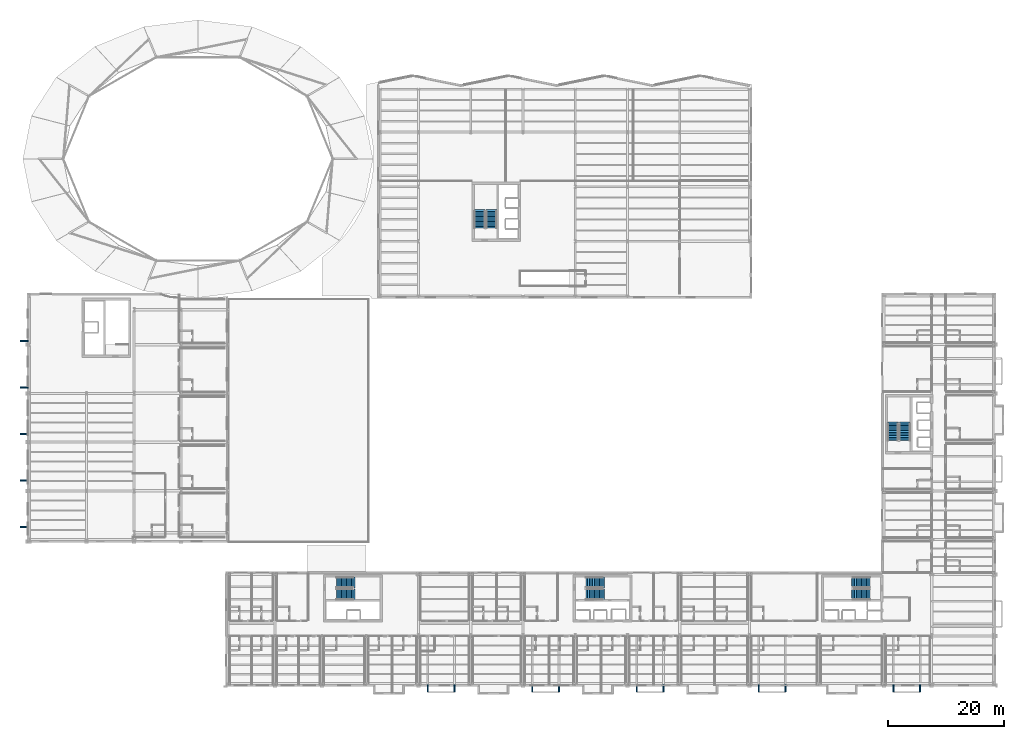
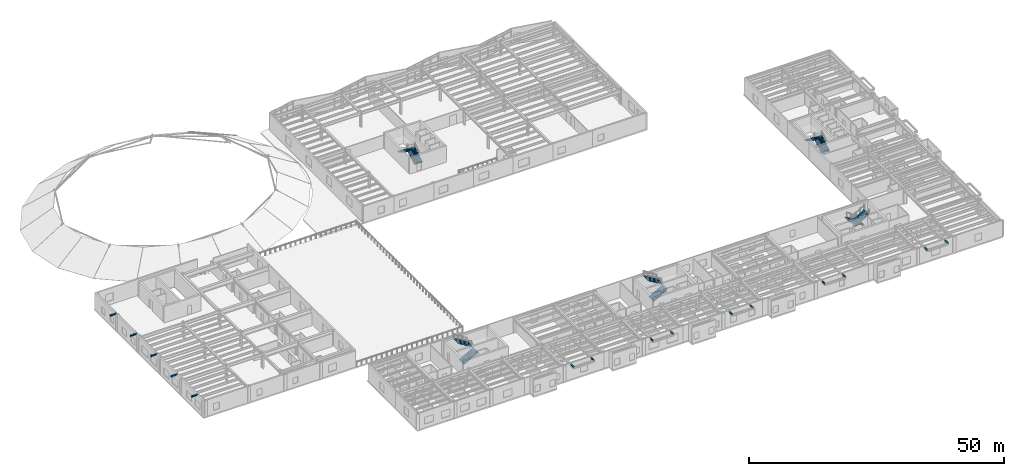
# One storey, part 52 of 59: 15 discrete accessories, 10 stair flights, 5 elements without a shape of their own.
"""IFC4 building model written with IfcOpenShell, lengths in metres."""

from ifc_helpers import new_model, si_unit, direction, frame, origin, origin_2d, place, context, subcontext, project, spatial, polyline, rectangle, outline, extrude, material, type_object, element, aggregate, save


model = new_model("IFC4")

# Units and contexts
model_context = context("Model", 3, precision=1e-05, world=origin(), true_north=direction((0.0, 1.0)))
body_context = subcontext(model_context, "Body", "Model", "MODEL_VIEW")
ifc_project = project(units=[si_unit("LENGTHUNIT", "METRE"), si_unit("AREAUNIT", "SQUARE_METRE"), si_unit("VOLUMEUNIT", "CUBIC_METRE"), si_unit("PLANEANGLEUNIT", "RADIAN"), si_unit("MASSUNIT", "GRAM", prefix="KILO")], contexts=[model_context])

# Site, building, storey
site_placement = place(None, origin())
site = spatial("IfcSite", under=ifc_project, at=site_placement, CompositionType="ELEMENT")
building_placement = place(site_placement, origin())
building = spatial("IfcBuilding", under=site, at=building_placement, Name="Sollismere Congress Hotel", CompositionType="ELEMENT")
storey_placement = place(building_placement, frame((0.0, 0.0, 15.60009765625)))
storey = spatial("IfcBuildingStorey", under=building, at=storey_placement, Name="L03", CompositionType="ELEMENT", Elevation=15.60009765625)

# Stair, stair flights
ifc_material_1 = material(Name="Concrete C40/50", Category="concrete")
stair_type = type_object("IfcStairType", Name="STR-DL-390", PredefinedType="HALF_TURN_STAIR", material=ifc_material_1)
stair_1_placement = place(storey_placement, origin())
stair_1 = element("IfcStair", 1, at=stair_1_placement, inside=storey, type_object=stair_type, Name="Protected exit stair ST-01-L03", PredefinedType="HALF_TURN_STAIR")
stair_flight_type = type_object("IfcStairFlightType", Name="STF-DL-390", PredefinedType="STRAIGHT", material=ifc_material_1)
stair_flight_1_placement = place(storey_placement, frame((144.75, 17.425048828125, 0.0), z_axis=(0.0, 0.0, 1.0), x_axis=(-1.0, 0.0, 0.0)))
stair_flight_1 = element("IfcStairFlight", 2, at=stair_flight_1_placement, type_object=stair_flight_type, Name="Exit stair flight ST-01-L03-F1", NumberOfRisers=11, NumberOfTreads=11, PredefinedType="STRAIGHT", RiserHeight=0.17724609375, TreadLength=0.2900390625, context=body_context, shape_type="SweptSolid", body=[
    extrude(outline(polyline([(0.0, 0.0), (0.0, 0.17724609375), (0.2900390625, 0.17724609375), (0.2900390625, 0.3544921875), (0.580078125, 0.3544921875), (0.580078125, 0.53173828125), (0.8701171875, 0.53173828125), (0.8701171875, 0.708984375), (1.16015625, 0.708984375), (1.16015625, 0.88623046875), (1.4501953125, 0.88623046875), (1.4501953125, 1.0634765625), (1.740234375, 1.0634765625), (1.740234375, 1.24072265625), (2.0302734375, 1.24072265625), (2.0302734375, 1.41796875), (2.3203125, 1.41796875), (2.3203125, 1.59521484375), (2.6103515625, 1.59521484375), (2.6103515625, 1.7724609375), (2.900390625, 1.7724609375), (2.900390625, 1.94970703125), (3.1904296875, 1.94970703125), (3.1904296875, 1.76220703125), (0.306640625, 0.0), (0.0, 0.0)])), frame((0.0, 0.925048828125, 0.0), z_axis=(0.0, -1.0, 0.0), x_axis=(1.0, 0.0, 0.0)), (0.0, 0.0, 1.0), 1.85009765625),
])
stair_flight_2_placement = place(storey_placement, frame((141.56005859375, 15.375, 1.949951171875), z_axis=(0.0, 0.0, 1.0), x_axis=(1.0, 0.0, 0.0)))
stair_flight_2 = element("IfcStairFlight", 3, at=stair_flight_2_placement, type_object=stair_flight_type, Name="Exit stair flight ST-01-L03-F2", NumberOfRisers=11, NumberOfTreads=11, PredefinedType="STRAIGHT", RiserHeight=0.17724609375, TreadLength=0.2900390625, context=body_context, shape_type="SweptSolid", body=[
    extrude(outline(polyline([(0.0, 0.0), (0.0, 0.17724609375), (0.2900390625, 0.17724609375), (0.2900390625, 0.3544921875), (0.580078125, 0.3544921875), (0.580078125, 0.53173828125), (0.8701171875, 0.53173828125), (0.8701171875, 0.708984375), (1.16015625, 0.708984375), (1.16015625, 0.88623046875), (1.4501953125, 0.88623046875), (1.4501953125, 1.0634765625), (1.740234375, 1.0634765625), (1.740234375, 1.24072265625), (2.0302734375, 1.24072265625), (2.0302734375, 1.41796875), (2.3203125, 1.41796875), (2.3203125, 1.59521484375), (2.6103515625, 1.59521484375), (2.6103515625, 1.7724609375), (2.900390625, 1.7724609375), (2.900390625, 1.94970703125), (3.1904296875, 1.94970703125), (3.1904296875, 1.76220703125), (0.306640625, 0.0), (0.0, 0.0)])), frame((0.0, 0.925048828125, 0.0), z_axis=(0.0, -1.0, 0.0), x_axis=(1.0, 0.0, 0.0)), (0.0, 0.0, 1.0), 1.85009765625),
])
aggregate(stair_1, [stair_flight_1, stair_flight_2])

stair_2_placement = place(storey_placement, origin())
stair_2 = element("IfcStair", 4, at=stair_2_placement, inside=storey, type_object=stair_type, Name="Protected exit stair ST-02-L03", PredefinedType="HALF_TURN_STAIR")
stair_flight_3_placement = place(storey_placement, frame((95.85009765625, 15.375, 0.0), z_axis=(0.0, 0.0, 1.0), x_axis=(1.0, 0.0, 0.0)))
stair_flight_3 = element("IfcStairFlight", 5, at=stair_flight_3_placement, type_object=stair_flight_type, Name="Exit stair flight ST-02-L03-F1", NumberOfRisers=11, NumberOfTreads=11, PredefinedType="STRAIGHT", RiserHeight=0.17724609375, TreadLength=0.2900390625, context=body_context, shape_type="SweptSolid", body=[
    extrude(outline(polyline([(0.0, 0.0), (0.0, 0.17724609375), (0.2900390625, 0.17724609375), (0.2900390625, 0.3544921875), (0.580078125, 0.3544921875), (0.580078125, 0.53173828125), (0.8701171875, 0.53173828125), (0.8701171875, 0.708984375), (1.16015625, 0.708984375), (1.16015625, 0.88623046875), (1.4501953125, 0.88623046875), (1.4501953125, 1.0634765625), (1.740234375, 1.0634765625), (1.740234375, 1.24072265625), (2.0302734375, 1.24072265625), (2.0302734375, 1.41796875), (2.3203125, 1.41796875), (2.3203125, 1.59521484375), (2.6103515625, 1.59521484375), (2.6103515625, 1.7724609375), (2.900390625, 1.7724609375), (2.900390625, 1.94970703125), (3.1904296875, 1.94970703125), (3.1904296875, 1.76220703125), (0.306640625, 0.0), (0.0, 0.0)])), frame((0.0, 0.925048828125, 0.0), z_axis=(0.0, -1.0, 0.0), x_axis=(1.0, 0.0, 0.0)), (0.0, 0.0, 1.0), 1.85009765625),
])
stair_flight_4_placement = place(storey_placement, frame((99.0400390625, 17.425048828125, 1.949951171875), z_axis=(0.0, 0.0, 1.0), x_axis=(-1.0, 0.0, 0.0)))
stair_flight_4 = element("IfcStairFlight", 6, at=stair_flight_4_placement, type_object=stair_flight_type, Name="Exit stair flight ST-02-L03-F2", NumberOfRisers=11, NumberOfTreads=11, PredefinedType="STRAIGHT", RiserHeight=0.17724609375, TreadLength=0.2900390625, context=body_context, shape_type="SweptSolid", body=[
    extrude(outline(polyline([(0.0, 0.0), (0.0, 0.17724609375), (0.2900390625, 0.17724609375), (0.2900390625, 0.3544921875), (0.580078125, 0.3544921875), (0.580078125, 0.53173828125), (0.8701171875, 0.53173828125), (0.8701171875, 0.708984375), (1.16015625, 0.708984375), (1.16015625, 0.88623046875), (1.4501953125, 0.88623046875), (1.4501953125, 1.0634765625), (1.740234375, 1.0634765625), (1.740234375, 1.24072265625), (2.0302734375, 1.24072265625), (2.0302734375, 1.41796875), (2.3203125, 1.41796875), (2.3203125, 1.59521484375), (2.6103515625, 1.59521484375), (2.6103515625, 1.7724609375), (2.900390625, 1.7724609375), (2.900390625, 1.94970703125), (3.1904296875, 1.94970703125), (3.1904296875, 1.76220703125), (0.306640625, 0.0), (0.0, 0.0)])), frame((0.0, 0.925048828125, 0.0), z_axis=(0.0, -1.0, 0.0), x_axis=(1.0, 0.0, 0.0)), (0.0, 0.0, 1.0), 1.85009765625),
])
aggregate(stair_2, [stair_flight_3, stair_flight_4])

stair_3_placement = place(storey_placement, origin())
stair_3 = element("IfcStair", 7, at=stair_3_placement, inside=storey, type_object=stair_type, Name="Protected exit stair ST-03-L03", PredefinedType="HALF_TURN_STAIR")
stair_flight_5_placement = place(storey_placement, frame((150.77490234375, 41.85009765625, 0.0), z_axis=(0.0, 0.0, 1.0), x_axis=(0.0, 1.0, 0.0)))
stair_flight_5 = element("IfcStairFlight", 8, at=stair_flight_5_placement, type_object=stair_flight_type, Name="Exit stair flight ST-03-L03-F1", NumberOfRisers=11, NumberOfTreads=11, PredefinedType="STRAIGHT", RiserHeight=0.17724609375, TreadLength=0.2900390625, context=body_context, shape_type="SweptSolid", body=[
    extrude(outline(polyline([(0.0, 0.0), (0.0, 0.17724609375), (0.2900390625, 0.17724609375), (0.2900390625, 0.3544921875), (0.580078125, 0.3544921875), (0.580078125, 0.53173828125), (0.8701171875, 0.53173828125), (0.8701171875, 0.708984375), (1.16015625, 0.708984375), (1.16015625, 0.88623046875), (1.4501953125, 0.88623046875), (1.4501953125, 1.0634765625), (1.740234375, 1.0634765625), (1.740234375, 1.24072265625), (2.0302734375, 1.24072265625), (2.0302734375, 1.41796875), (2.3203125, 1.41796875), (2.3203125, 1.59521484375), (2.6103515625, 1.59521484375), (2.6103515625, 1.7724609375), (2.900390625, 1.7724609375), (2.900390625, 1.94970703125), (3.1904296875, 1.94970703125), (3.1904296875, 1.76220703125), (0.306640625, 0.0), (0.0, 0.0)])), frame((0.0, 0.925048828125, 0.0), z_axis=(0.0, -1.0, 0.0), x_axis=(1.0, 0.0, 0.0)), (0.0, 0.0, 1.0), 1.85009765625),
])
stair_flight_6_placement = place(storey_placement, frame((148.72509765625, 45.0400390625, 1.949951171875), z_axis=(0.0, 0.0, 1.0), x_axis=(0.0, -1.0, 0.0)))
stair_flight_6 = element("IfcStairFlight", 9, at=stair_flight_6_placement, type_object=stair_flight_type, Name="Exit stair flight ST-03-L03-F2", NumberOfRisers=11, NumberOfTreads=11, PredefinedType="STRAIGHT", RiserHeight=0.17724609375, TreadLength=0.2900390625, context=body_context, shape_type="SweptSolid", body=[
    extrude(outline(polyline([(0.0, 0.0), (0.0, 0.17724609375), (0.2900390625, 0.17724609375), (0.2900390625, 0.3544921875), (0.580078125, 0.3544921875), (0.580078125, 0.53173828125), (0.8701171875, 0.53173828125), (0.8701171875, 0.708984375), (1.16015625, 0.708984375), (1.16015625, 0.88623046875), (1.4501953125, 0.88623046875), (1.4501953125, 1.0634765625), (1.740234375, 1.0634765625), (1.740234375, 1.24072265625), (2.0302734375, 1.24072265625), (2.0302734375, 1.41796875), (2.3203125, 1.41796875), (2.3203125, 1.59521484375), (2.6103515625, 1.59521484375), (2.6103515625, 1.7724609375), (2.900390625, 1.7724609375), (2.900390625, 1.94970703125), (3.1904296875, 1.94970703125), (3.1904296875, 1.76220703125), (0.306640625, 0.0), (0.0, 0.0)])), frame((0.0, 0.925048828125, 0.0), z_axis=(0.0, -1.0, 0.0), x_axis=(1.0, 0.0, 0.0)), (0.0, 0.0, 1.0), 1.85009765625),
])
aggregate(stair_3, [stair_flight_5, stair_flight_6])

stair_4_placement = place(storey_placement, origin())
stair_4 = element("IfcStair", 10, at=stair_4_placement, inside=storey, type_object=stair_type, Name="Protected exit stair ST-04-L03", PredefinedType="HALF_TURN_STAIR")
stair_flight_7_placement = place(storey_placement, frame((79.574951171875, 78.449951171875, 0.0), z_axis=(0.0, 0.0, 1.0), x_axis=(0.0, 1.0, 0.0)))
stair_flight_7 = element("IfcStairFlight", 11, at=stair_flight_7_placement, type_object=stair_flight_type, Name="Exit stair flight ST-04-L03-F1", NumberOfRisers=11, NumberOfTreads=11, PredefinedType="STRAIGHT", RiserHeight=0.17724609375, TreadLength=0.2900390625, context=body_context, shape_type="SweptSolid", body=[
    extrude(outline(polyline([(0.0, 0.0), (0.0, 0.17724609375), (0.2900390625, 0.17724609375), (0.2900390625, 0.3544921875), (0.580078125, 0.3544921875), (0.580078125, 0.53173828125), (0.8701171875, 0.53173828125), (0.8701171875, 0.708984375), (1.16015625, 0.708984375), (1.16015625, 0.88623046875), (1.4501953125, 0.88623046875), (1.4501953125, 1.0634765625), (1.740234375, 1.0634765625), (1.740234375, 1.24072265625), (2.0302734375, 1.24072265625), (2.0302734375, 1.41796875), (2.3203125, 1.41796875), (2.3203125, 1.59521484375), (2.6103515625, 1.59521484375), (2.6103515625, 1.7724609375), (2.900390625, 1.7724609375), (2.900390625, 1.94970703125), (3.1904296875, 1.94970703125), (3.1904296875, 1.76220703125), (0.306640625, 0.0), (0.0, 0.0)])), frame((0.0, 0.925048828125, 0.0), z_axis=(0.0, -1.0, 0.0), x_axis=(1.0, 0.0, 0.0)), (0.0, 0.0, 1.0), 1.85009765625),
])
stair_flight_8_placement = place(storey_placement, frame((77.52490234375, 81.639892578125, 1.949951171875), z_axis=(0.0, 0.0, 1.0), x_axis=(0.0, -1.0, 0.0)))
stair_flight_8 = element("IfcStairFlight", 12, at=stair_flight_8_placement, type_object=stair_flight_type, Name="Exit stair flight ST-04-L03-F2", NumberOfRisers=11, NumberOfTreads=11, PredefinedType="STRAIGHT", RiserHeight=0.17724609375, TreadLength=0.2900390625, context=body_context, shape_type="SweptSolid", body=[
    extrude(outline(polyline([(0.0, 0.0), (0.0, 0.17724609375), (0.2900390625, 0.17724609375), (0.2900390625, 0.3544921875), (0.580078125, 0.3544921875), (0.580078125, 0.53173828125), (0.8701171875, 0.53173828125), (0.8701171875, 0.708984375), (1.16015625, 0.708984375), (1.16015625, 0.88623046875), (1.4501953125, 0.88623046875), (1.4501953125, 1.0634765625), (1.740234375, 1.0634765625), (1.740234375, 1.24072265625), (2.0302734375, 1.24072265625), (2.0302734375, 1.41796875), (2.3203125, 1.41796875), (2.3203125, 1.59521484375), (2.6103515625, 1.59521484375), (2.6103515625, 1.7724609375), (2.900390625, 1.7724609375), (2.900390625, 1.94970703125), (3.1904296875, 1.94970703125), (3.1904296875, 1.76220703125), (0.306640625, 0.0), (0.0, 0.0)])), frame((0.0, 0.925048828125, 0.0), z_axis=(0.0, -1.0, 0.0), x_axis=(1.0, 0.0, 0.0)), (0.0, 0.0, 1.0), 1.85009765625),
])
aggregate(stair_4, [stair_flight_7, stair_flight_8])

stair_5_placement = place(storey_placement, origin())
stair_5 = element("IfcStair", 13, at=stair_5_placement, inside=storey, type_object=stair_type, Name="Protected exit stair ST-06-L03", PredefinedType="HALF_TURN_STAIR")
stair_flight_9_placement = place(storey_placement, frame((52.85009765625, 15.375, 0.0), z_axis=(0.0, 0.0, 1.0), x_axis=(1.0, 0.0, 0.0)))
stair_flight_9 = element("IfcStairFlight", 14, at=stair_flight_9_placement, type_object=stair_flight_type, Name="Exit stair flight ST-06-L03-F1", NumberOfRisers=11, NumberOfTreads=11, PredefinedType="STRAIGHT", RiserHeight=0.17724609375, TreadLength=0.2900390625, context=body_context, shape_type="SweptSolid", body=[
    extrude(outline(polyline([(0.0, 0.0), (0.0, 0.17724609375), (0.2900390625, 0.17724609375), (0.2900390625, 0.3544921875), (0.580078125, 0.3544921875), (0.580078125, 0.53173828125), (0.8701171875, 0.53173828125), (0.8701171875, 0.708984375), (1.16015625, 0.708984375), (1.16015625, 0.88623046875), (1.4501953125, 0.88623046875), (1.4501953125, 1.0634765625), (1.740234375, 1.0634765625), (1.740234375, 1.24072265625), (2.0302734375, 1.24072265625), (2.0302734375, 1.41796875), (2.3203125, 1.41796875), (2.3203125, 1.59521484375), (2.6103515625, 1.59521484375), (2.6103515625, 1.7724609375), (2.900390625, 1.7724609375), (2.900390625, 1.94970703125), (3.1904296875, 1.94970703125), (3.1904296875, 1.76220703125), (0.306640625, 0.0), (0.0, 0.0)])), frame((0.0, 0.925048828125, 0.0), z_axis=(0.0, -1.0, 0.0), x_axis=(1.0, 0.0, 0.0)), (0.0, 0.0, 1.0), 1.85009765625),
])
stair_flight_10_placement = place(storey_placement, frame((56.0400390625, 17.425048828125, 1.949951171875), z_axis=(0.0, 0.0, 1.0), x_axis=(-1.0, 0.0, 0.0)))
stair_flight_10 = element("IfcStairFlight", 15, at=stair_flight_10_placement, type_object=stair_flight_type, Name="Exit stair flight ST-06-L03-F2", NumberOfRisers=11, NumberOfTreads=11, PredefinedType="STRAIGHT", RiserHeight=0.17724609375, TreadLength=0.2900390625, context=body_context, shape_type="SweptSolid", body=[
    extrude(outline(polyline([(0.0, 0.0), (0.0, 0.17724609375), (0.2900390625, 0.17724609375), (0.2900390625, 0.3544921875), (0.580078125, 0.3544921875), (0.580078125, 0.53173828125), (0.8701171875, 0.53173828125), (0.8701171875, 0.708984375), (1.16015625, 0.708984375), (1.16015625, 0.88623046875), (1.4501953125, 0.88623046875), (1.4501953125, 1.0634765625), (1.740234375, 1.0634765625), (1.740234375, 1.24072265625), (2.0302734375, 1.24072265625), (2.0302734375, 1.41796875), (2.3203125, 1.41796875), (2.3203125, 1.59521484375), (2.6103515625, 1.59521484375), (2.6103515625, 1.7724609375), (2.900390625, 1.7724609375), (2.900390625, 1.94970703125), (3.1904296875, 1.94970703125), (3.1904296875, 1.76220703125), (0.306640625, 0.0), (0.0, 0.0)])), frame((0.0, 0.925048828125, 0.0), z_axis=(0.0, -1.0, 0.0), x_axis=(1.0, 0.0, 0.0)), (0.0, 0.0, 1.0), 1.85009765625),
])
aggregate(stair_5, [stair_flight_9, stair_flight_10])

# Discrete accessories
ifc_material_2 = material(Name="Steel ASTM A572 Grade 50", Category="steel")
discrete_accessory_type = type_object("IfcDiscreteAccessoryType", Name="BRK-STL", PredefinedType="BRACKET", material=ifc_material_2)
for number, where, z_axis, x_axis, name in (
    (16, (68.60009765625, -0.800048828125, 3.375), (0.0, 0.0, 1.0), (1.0, 0.0, 0.0), "BRK-CK-011"),
    (17, (73.199951171875, -0.800048828125, 3.375), (0.0, 0.0, 1.0), (1.0, 0.0, 0.0), "BRK-CK-012"),
    (18, (86.60009765625, -0.800048828125, 3.375), (0.0, 0.0, 1.0), (1.0, 0.0, 0.0), "BRK-CK-013"),
    (19, (91.199951171875, -0.800048828125, 3.375), (0.0, 0.0, 1.0), (1.0, 0.0, 0.0), "BRK-CK-014"),
    (20, (104.60009765625, -0.800048828125, 3.375), (0.0, 0.0, 1.0), (1.0, 0.0, 0.0), "BRK-CK-015"),
    (21, (109.199951171875, -0.800048828125, 3.375), (0.0, 0.0, 1.0), (1.0, 0.0, 0.0), "BRK-CK-016"),
    (22, (125.60009765625, -0.800048828125, 3.375), (0.0, 0.0, 1.0), (1.0, 0.0, 0.0), "BRK-CK-017"),
    (23, (130.199951171875, -0.800048828125, 3.375), (0.0, 0.0, 1.0), (1.0, 0.0, 0.0), "BRK-CK-018"),
    (24, (148.800048828125, -0.800048828125, 3.375), (0.0, 0.0, 1.0), (1.0, 0.0, 0.0), "BRK-CK-019"),
    (25, (153.39990234375, -0.800048828125, 3.375), (0.0, 0.0, 1.0), (1.0, 0.0, 0.0), "BRK-CK-020"),
):
    element("IfcDiscreteAccessory", number, at=place(storey_placement, frame(where, z_axis=z_axis, x_axis=x_axis)), inside=storey, type_object=discrete_accessory_type, Name=name, PredefinedType="BRACKET", context=body_context, shape_type="SweptSolid", body=[
        extrude(rectangle(XDim=0.219970703125, YDim=1.14990234375, at=origin_2d()), origin(), (0.0, 0.0, 1.0), 0.260009765625),
    ])
for number, where, z_axis, x_axis, name in (
    (26, (-0.949951171875, 27.0, 3.6396484375), (0.0, 0.0, 1.0), (1.0, 0.0, 0.0), "BRK-MD-087"),
    (27, (-0.949951171875, 35.0, 3.6396484375), (0.0, 0.0, 1.0), (1.0, 0.0, 0.0), "BRK-MD-088"),
    (28, (-0.949951171875, 43.0, 3.6396484375), (0.0, 0.0, 1.0), (1.0, 0.0, 0.0), "BRK-MD-089"),
    (29, (-0.949951171875, 51.0, 3.6396484375), (0.0, 0.0, 1.0), (1.0, 0.0, 0.0), "BRK-MD-090"),
    (30, (-0.949951171875, 59.0, 3.6396484375), (0.0, 0.0, 1.0), (1.0, 0.0, 0.0), "BRK-MD-091"),
):
    element("IfcDiscreteAccessory", number, at=place(storey_placement, frame(where, z_axis=z_axis, x_axis=x_axis)), inside=storey, type_object=discrete_accessory_type, Name=name, PredefinedType="BRACKET", context=body_context, shape_type="SweptSolid", body=[
        extrude(rectangle(XDim=1.39990234375, YDim=0.239990234375, at=origin_2d()), origin(), (0.0, 0.0, 1.0), 0.280029296875),
    ])

save(model, "model.ifc")
